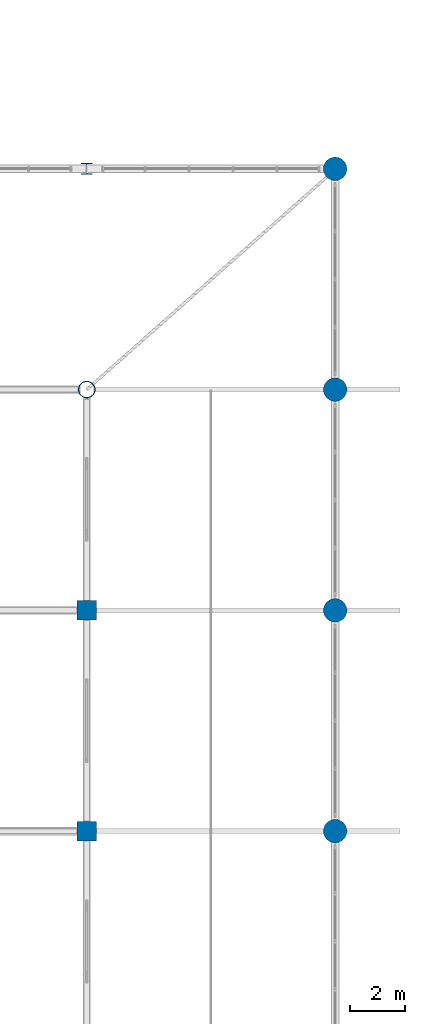
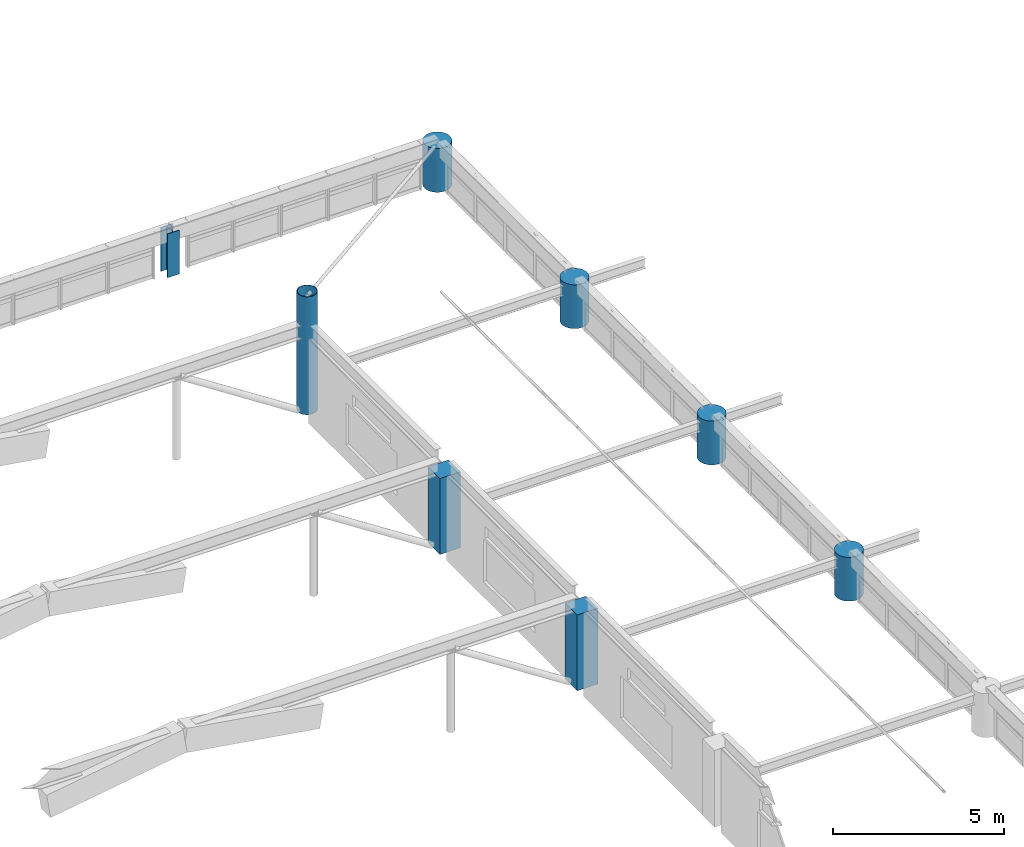
# One storey, part 9 of 128: 8 columns.
"""IFC4 building model written with IfcOpenShell, lengths in metres."""

from ifc_helpers import new_model, si_unit, derived_unit, direction, frame, origin, origin_2d, place, context, subcontext, project, spatial, rectangle, circle, hollow_circle, i_section, extrude, material, material_profile, profile_set, type_object, element, save


model = new_model("IFC4")

# Units and contexts
model_context = context("Model", 3, precision=1e-05, world=origin(), true_north=direction((0.0, 1.0)))
body_context = subcontext(model_context, "Body", "Model", "MODEL_VIEW")
ifc_project = project(units=[si_unit("LENGTHUNIT", "METRE"), si_unit("AREAUNIT", "SQUARE_METRE"), si_unit("VOLUMEUNIT", "CUBIC_METRE"), si_unit("PLANEANGLEUNIT", "RADIAN"), si_unit("MASSUNIT", "GRAM", prefix="KILO"), derived_unit("THERMALTRANSMITTANCEUNIT", [(si_unit("MASSUNIT", "GRAM", prefix="KILO"), 1), (si_unit("TIMEUNIT", "SECOND"), -3), (si_unit("THERMODYNAMICTEMPERATUREUNIT", "KELVIN"), -1)])], contexts=[model_context])

# Site, building, storey
site_placement = place(None, origin())
site = spatial("IfcSite", under=ifc_project, at=site_placement, CompositionType="ELEMENT")
building_placement = place(site_placement, origin())
building = spatial("IfcBuilding", under=site, at=building_placement, Name="Zhenchuan Archway Interchange", CompositionType="ELEMENT")
storey_placement = place(building_placement, frame((0.0, 0.0, 14.39990234375)))
storey = spatial("IfcBuildingStorey", under=building, at=storey_placement, Name="L03", CompositionType="ELEMENT", Elevation=14.39990234375)

# Columns
ifc_material_1 = material(Name="Concrete C40", Category="concrete")
ifc_material_profile_1 = material_profile(ifc_material_1, rectangle(XDim=0.699951171875, YDim=0.699951171875, at=origin_2d()), Name="RC 700x700")
ifc_profile_set_1 = profile_set([ifc_material_profile_1], Name="Concrete C40")
column_type_1 = type_object("IfcColumnType", Name="COL_RC_700", PredefinedType="COLUMN", material=ifc_profile_set_1)
for number, where, z_axis, x_axis, name in (
    (1, (63.0, 64.0, 0.0), (0.0, 0.0, 1.0), (1.0, 0.0, 0.0), "Concourse clerestory arch pier 8/J (L03)"),
    (2, (63.0, 72.0, 0.0), (0.0, 0.0, 1.0), (1.0, 0.0, 0.0), "Concourse clerestory arch pier 8/K (L03)"),
):
    element("IfcColumn", number, at=place(storey_placement, frame(where, z_axis=z_axis, x_axis=x_axis)), inside=storey, type_object=column_type_1, Name=name, PredefinedType="COLUMN", context=body_context, shape_type="SweptSolid", body=[
        extrude(rectangle(XDim=0.699951171875, YDim=0.699951171875, at=origin_2d()), origin(), (0.0, 0.0, 1.0), 2.7001953125),
    ])
ifc_material_profile_2 = material_profile(ifc_material_1, circle(Radius=0.425048828125, at=origin_2d()), Name="RC D850")
ifc_profile_set_2 = profile_set([ifc_material_profile_2], Name="Concrete C40")
column_type_2 = type_object("IfcColumnType", Name="COL_RC_D850", PredefinedType="COLUMN", material=ifc_profile_set_2)
for number, where, z_axis, x_axis, name in (
    (3, (72.0, 64.0, 0.0), (0.0, 0.0, 1.0), (1.0, 0.0, 0.0), "Column 9/J (L03)"),
    (4, (72.0, 72.0, 0.0), (0.0, 0.0, 1.0), (1.0, 0.0, 0.0), "Column 9/K (L03)"),
    (5, (72.0, 80.0, 0.0), (0.0, 0.0, 1.0), (1.0, 0.0, 0.0), "Column 9/L (L03)"),
    (6, (72.0, 88.0, 0.0), (0.0, 0.0, 1.0), (1.0, 0.0, 0.0), "Column 9/M (L03)"),
):
    element("IfcColumn", number, at=place(storey_placement, frame(where, z_axis=z_axis, x_axis=x_axis)), inside=storey, type_object=column_type_2, Name=name, PredefinedType="COLUMN", context=body_context, shape_type="SweptSolid", body=[
        extrude(circle(Radius=0.425048828125, at=origin_2d()), origin(), (0.0, 0.0, 1.0), 1.56005859375),
    ])
ifc_material_2 = material(Name="Steel Q390", Category="steel")
ifc_material_profile_3 = material_profile(ifc_material_2, hollow_circle(Radius=0.304931640625, WallThickness=0.02001953125, at=origin_2d()), Name="CHS 610x20")
ifc_profile_set_3 = profile_set([ifc_material_profile_3], Name="Steel Q390")
column_type_3 = type_object("IfcColumnType", Name="COL_STL_CHS610", PredefinedType="COLUMN", material=ifc_profile_set_3)
column_1_placement = place(storey_placement, frame((63.0, 80.0, 0.0), z_axis=(0.0, 0.0, 1.0), x_axis=(1.0, 0.0, 0.0)))
element("IfcColumn", 7, at=column_1_placement, inside=storey, type_object=column_type_3, Name="Column 8/L (L03)", PredefinedType="COLUMN", context=body_context, shape_type="SweptSolid", body=[
    extrude(hollow_circle(Radius=0.304931640625, WallThickness=0.02001953125, at=origin_2d()), origin(), (0.0, 0.0, 1.0), 4.2001953125),
])
ifc_material_3 = material(Name="Steel Q355", Category="steel")
ifc_material_profile_4 = material_profile(ifc_material_3, i_section(OverallWidth=0.39990234375, OverallDepth=0.39990234375, WebThickness=0.012939453125, FlangeThickness=0.02099609375, FilletRadius=0.02197265625, at=origin_2d()), Name="HW 400x400")
ifc_profile_set_4 = profile_set([ifc_material_profile_4], Name="Steel Q355")
column_type_4 = type_object("IfcColumnType", Name="COL_STL_HW400", PredefinedType="COLUMN", material=ifc_profile_set_4)
column_2_placement = place(storey_placement, frame((63.0, 88.0, 0.0), z_axis=(0.0, 0.0, 1.0), x_axis=(1.0, 0.0, 0.0)))
element("IfcColumn", 8, at=column_2_placement, inside=storey, type_object=column_type_4, Name="Column 8/M (L03)", PredefinedType="COLUMN", context=body_context, shape_type="SweptSolid", body=[
    extrude(i_section(OverallWidth=0.39990234375, OverallDepth=0.39990234375, WebThickness=0.012939453125, FlangeThickness=0.02099609375, FilletRadius=0.02197265625, at=origin_2d()), origin(), (0.0, 0.0, 1.0), 1.56005859375),
])

save(model, "model.ifc")
